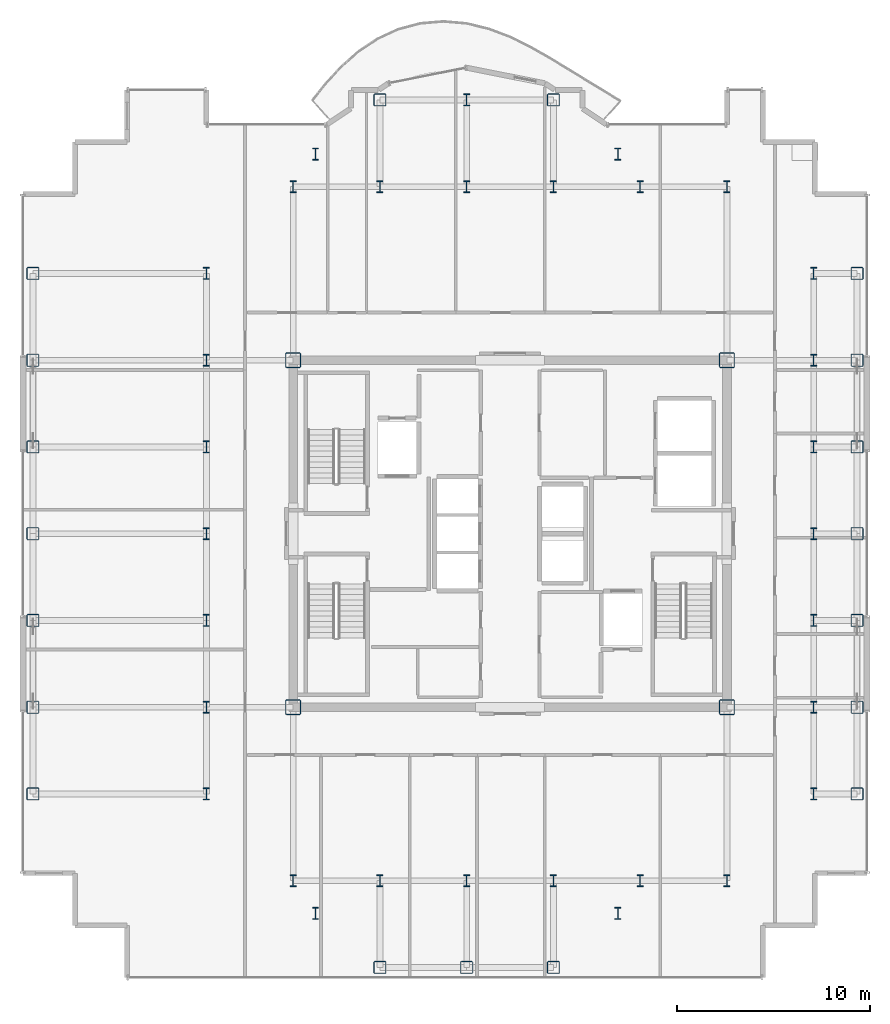
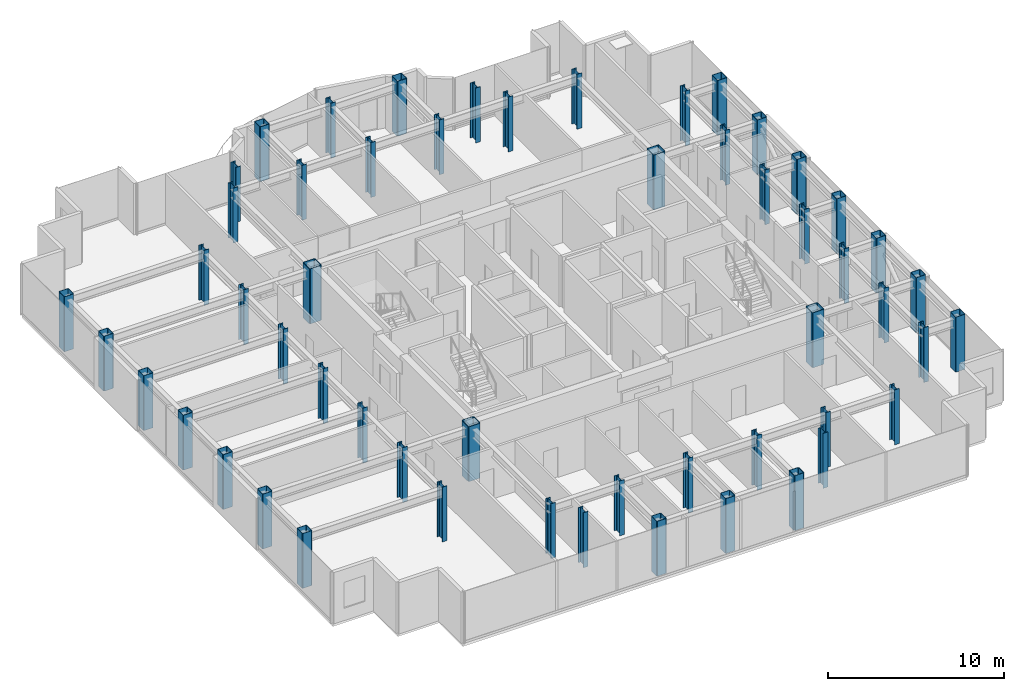
# One storey, part 1 of 16: 54 columns.
"""IFC4 building model written with IfcOpenShell, lengths in metres."""

import ifcopenshell
import ifcopenshell.guid

model = None  # the IFC model being written
_history = None  # IfcOwnerHistory: only IFC2X3 demands one
_inside = {}  # id of a spatial element -> (the spatial element, [elements in it])
_under = {}  # id of a project, library or spatial element -> (it, [spatial elements below it])
_declared = {}  # id of a project -> (the project, [libraries it declares])
_typed = {}  # id of a type object -> (the type object, [elements of that type])
_made_of = {}  # id of a material, layer set ... -> (it, [elements and type objects made of it])


def new_model(schema):
    """Start an empty IFC model of exactly this schema.

    Asked for "IFC4X3", IfcOpenShell would pick the latest addendum, in which some entities
    have other attributes; the version numbers below select the first issue.
    IFC2X3 requires an IfcOwnerHistory on every rooted entity: one is made here for all.
    """
    global model, _history
    if schema == "IFC4X3":
        model = ifcopenshell.file(schema_version=(4, 3, 0, 0))
    else:
        model = ifcopenshell.file(schema=schema)
    _inside.clear()
    _under.clear()
    _declared.clear()
    _typed.clear()
    _made_of.clear()
    _history = None
    if model.schema == "IFC2X3":
        org = make("IfcOrganization", Name="unknown")
        user = make(
            "IfcPersonAndOrganization",
            ThePerson=make("IfcPerson", FamilyName="unknown"),
            TheOrganization=org,
        )
        app = make(
            "IfcApplication",
            ApplicationDeveloper=org,
            Version="unknown",
            ApplicationFullName="unknown",
            ApplicationIdentifier="unknown",
        )
        _history = make(
            "IfcOwnerHistory",
            OwningUser=user,
            OwningApplication=app,
            ChangeAction="ADDED",
            CreationDate=0,
        )
    return model


def make(cls, **values):
    """One entity of the class cls with the attributes given. An attribute that is None is left unset."""
    return model.create_entity(
        cls, **{name: value for name, value in values.items() if value is not None}
    )


def rooted(cls, **values):
    """An entity with a GlobalId (a new one), such as an element, a storey or a relation."""
    return make(cls, GlobalId=ifcopenshell.guid.new(), OwnerHistory=_history, **values)


def si_unit(unit_type, name, prefix=None):
    """IfcSIUnit, for example si_unit("LENGTHUNIT", "METRE", prefix="MILLI")."""
    return make("IfcSIUnit", UnitType=unit_type, Prefix=prefix, Name=name)


def assignment(units):
    """IfcUnitAssignment: the units of a project."""
    return None if units is None else make("IfcUnitAssignment", Units=units)


def point(xyz):
    """IfcCartesianPoint."""
    return None if xyz is None else make("IfcCartesianPoint", Coordinates=xyz)


def direction(xyz):
    """IfcDirection."""
    return None if xyz is None else make("IfcDirection", DirectionRatios=xyz)


def frame(location, z_axis=None, x_axis=None):
    """IfcAxis2Placement3D, a coordinate frame: its origin and axes. An axis left out is left unset."""
    return make(
        "IfcAxis2Placement3D",
        Location=point(location),
        Axis=direction(z_axis),
        RefDirection=direction(x_axis),
    )


def frame_2d(location, x_axis=None):
    """IfcAxis2Placement2D, a coordinate frame in the plane: its origin and x axis."""
    return make(
        "IfcAxis2Placement2D", Location=point(location), RefDirection=direction(x_axis)
    )


def origin():
    """The frame at (0, 0, 0) with its axes left unset."""
    return frame((0.0, 0.0, 0.0))


def origin_2d():
    """The frame at (0, 0) in the plane with its x axis left unset."""
    return frame_2d((0.0, 0.0))


def place(relative_to, where):
    """IfcLocalPlacement: puts the frame where relative to a parent placement (None: the world)."""
    return make(
        "IfcLocalPlacement", PlacementRelTo=relative_to, RelativePlacement=where
    )


def context(
    kind, dimensions, precision=None, world=None, true_north=None, identifier=None
):
    """IfcGeometricRepresentationContext, for example the 3D "Model" context."""
    return make(
        "IfcGeometricRepresentationContext",
        ContextIdentifier=identifier,
        ContextType=kind,
        CoordinateSpaceDimension=dimensions,
        Precision=precision,
        WorldCoordinateSystem=world,
        TrueNorth=true_north,
    )


def subcontext(parent, identifier, kind, view, scale=None):
    """IfcGeometricRepresentationSubContext, for example "Body" below "Model"."""
    return make(
        "IfcGeometricRepresentationSubContext",
        ContextIdentifier=identifier,
        ContextType=kind,
        ParentContext=parent,
        TargetScale=scale,
        TargetView=view,
    )


def project(units=None, contexts=None):
    """IfcProject with its units and contexts."""
    return rooted(
        "IfcProject",
        Name="project",
        RepresentationContexts=contexts,
        UnitsInContext=assignment(units),
    )


def spatial(cls, under=None, at=None, **own):
    """A site, building, storey or space (cls), placed at a placement, below another one or the project."""
    s = rooted(cls, ObjectPlacement=at, **own)
    if under is not None:
        _under.setdefault(under.id(), (under, []))[1].append(s)
    return s


def profile(cls, at=None, kind="AREA", **sizes):
    """A parametric profile (cls). Its sizes go by their IFC names, for example OverallWidth=200.0."""
    return make(cls, ProfileType=kind, Position=at, **sizes)


def hollow_rectangle(**sizes):
    """IfcRectangleHollowProfileDef."""
    return profile("IfcRectangleHollowProfileDef", **sizes)


def i_section(**sizes):
    """IfcIShapeProfileDef."""
    return profile("IfcIShapeProfileDef", **sizes)


def extrude(swept, where, along, depth):
    """IfcExtrudedAreaSolid: the profile swept, set in the frame where, extruded along a direction by depth."""
    return make(
        "IfcExtrudedAreaSolid",
        SweptArea=swept,
        Position=where,
        ExtrudedDirection=direction(along),
        Depth=depth,
    )


def shape(context_of_items, identifier, shape_type, items):
    """IfcShapeRepresentation: the items that make up one representation, for example the "Body"."""
    return make(
        "IfcShapeRepresentation",
        ContextOfItems=context_of_items,
        RepresentationIdentifier=identifier,
        RepresentationType=shape_type,
        Items=items,
    )


def source(mapping_origin, context_of_items, identifier, shape_type, items):
    """IfcRepresentationMap: a shape defined once, which mapped items show again and again."""
    return make(
        "IfcRepresentationMap",
        MappingOrigin=mapping_origin,
        MappedRepresentation=shape(context_of_items, identifier, shape_type, items),
    )


def transform(
    local_origin,
    x_axis=None,
    y_axis=None,
    z_axis=None,
    scale=None,
    scale2=None,
    scale3=None,
    uniform=True,
):
    """IfcCartesianTransformationOperator3D, or its non-uniform kind. x_axis, y_axis, z_axis: its Axis1, 2, 3."""
    if uniform:
        return make(
            "IfcCartesianTransformationOperator3D",
            Axis1=direction(x_axis),
            Axis2=direction(y_axis),
            LocalOrigin=point(local_origin),
            Scale=scale,
            Axis3=direction(z_axis),
        )
    return make(
        "IfcCartesianTransformationOperator3DnonUniform",
        Axis1=direction(x_axis),
        Axis2=direction(y_axis),
        LocalOrigin=point(local_origin),
        Scale=scale,
        Axis3=direction(z_axis),
        Scale2=scale2,
        Scale3=scale3,
    )


def mapped(mapping_source, mapping_target):
    """IfcMappedItem: shows the shape of a source again, moved by a transform."""
    return make(
        "IfcMappedItem", MappingSource=mapping_source, MappingTarget=mapping_target
    )


def material(Name=None, Category=None):
    """IfcMaterial."""
    return make("IfcMaterial", Name=Name, Category=Category)


def material_profile(
    of_material, cross_section, Name=None, Category=None, Priority=None
):
    """IfcMaterialProfile: a cross section and its material."""
    return make(
        "IfcMaterialProfile",
        Name=Name,
        Material=of_material,
        Profile=cross_section,
        Priority=Priority,
        Category=Category,
    )


def profile_set(profiles, Name=None, composite=None):
    """IfcMaterialProfileSet."""
    return make(
        "IfcMaterialProfileSet",
        Name=Name,
        MaterialProfiles=profiles,
        CompositeProfile=composite,
    )


def made_of(thing, what):
    """Note that an element or type object is made of a material, layer set ...; save() writes the relation."""
    if what is not None:
        _made_of.setdefault(what.id(), (what, []))[1].append(thing)
    return thing


def type_object(cls, material=None, **own):
    """A type object (cls), such as IfcWallType, which elements share."""
    return made_of(rooted(cls, **own), material)


def element(
    cls,
    number,
    at=None,
    inside=None,
    cuts=None,
    type_object=None,
    material=None,
    context=None,
    identifier="Body",
    shape_type=None,
    held_by="IfcProductDefinitionShape",
    body=None,
    shapes=None,
    **own,
):
    """One element of the class cls, such as IfcWall. Its Tag is "e" and its number.

    at: its placement. inside: the storey or other place that contains it. cuts: it is an
    opening in that element (IfcRelVoidsElement). A single representation is given by context,
    identifier, shape_type and body (its items); several are given by shapes. held_by: the class
    of the entity that holds the representations. save() writes the other relations.
    """
    e = rooted(cls, Tag="e%d" % number, ObjectPlacement=at, **own)
    if body is not None:
        shapes = [shape(context, identifier, shape_type, body)]
    if shapes is not None:
        e.Representation = make(held_by, Representations=shapes)
    if inside is not None:
        _inside.setdefault(inside.id(), (inside, []))[1].append(e)
    if cuts is not None:
        rooted(
            "IfcRelVoidsElement", RelatingBuildingElement=cuts, RelatedOpeningElement=e
        )
    if type_object is not None:
        _typed.setdefault(type_object.id(), (type_object, []))[1].append(e)
    return made_of(e, material)


def aggregate(whole, parts):
    """IfcRelAggregates: a whole, such as a stair, and the parts it consists of."""
    return rooted("IfcRelAggregates", RelatingObject=whole, RelatedObjects=parts)


def save(model, path):
    """Write the relations noted so far, then the file.

    IfcRelAggregates (storeys below a building ...), IfcRelContainedInSpatialStructure (elements
    in a storey), IfcRelDefinesByType, IfcRelAssociatesMaterial and IfcRelDeclares: one each for
    every whole, place, type object, material and project.
    """
    for whole, parts in _under.values():
        aggregate(whole, parts)
    for where, things in _inside.values():
        rooted(
            "IfcRelContainedInSpatialStructure",
            RelatedElements=things,
            RelatingStructure=where,
        )
    for kind, things in _typed.values():
        rooted("IfcRelDefinesByType", RelatedObjects=things, RelatingType=kind)
    for what, things in _made_of.values():
        rooted("IfcRelAssociatesMaterial", RelatedObjects=things, RelatingMaterial=what)
    for by, libraries in _declared.values():
        rooted("IfcRelDeclares", RelatingContext=by, RelatedDefinitions=libraries)
    model.write(path)


model = new_model("IFC4")

# Units and contexts
model_context = context("Model", 3, precision=1e-05, world=origin(), true_north=direction((0.0, 1.0)))
body_context = subcontext(model_context, "Body", "Model", "MODEL_VIEW")
ifc_project = project(units=[si_unit("LENGTHUNIT", "METRE"), si_unit("AREAUNIT", "SQUARE_METRE"), si_unit("VOLUMEUNIT", "CUBIC_METRE"), si_unit("PLANEANGLEUNIT", "RADIAN"), si_unit("MASSUNIT", "GRAM", prefix="KILO")], contexts=[model_context])

# Site, building, storey
site_placement = place(None, origin())
site = spatial("IfcSite", under=ifc_project, at=site_placement, CompositionType="ELEMENT")
building_placement = place(site_placement, origin())
building = spatial("IfcBuilding", under=site, at=building_placement, Name="Nefas-Gora Pilgrimage Tower", CompositionType="ELEMENT")
storey_placement = place(building_placement, frame((0.0, 0.0, 287.39990234375)))
storey = spatial("IfcBuildingStorey", under=building, at=storey_placement, Name="L72", CompositionType="ELEMENT", Elevation=287.39990234375)

# Columns
ifc_material_1 = material(Name="Steel S460", Category="steel")
ifc_material_profile_1 = material_profile(ifc_material_1, hollow_rectangle(XDim=0.800048828125, YDim=0.800048828125, WallThickness=0.0400390625, InnerFilletRadius=0.0400390625, OuterFilletRadius=0.080078125, at=origin_2d()), Name="BOX 800x800x40")
ifc_profile_set_1 = profile_set([ifc_material_profile_1], Name="Steel S460")
column_type_1 = type_object("IfcColumnType", Name="COL-CORE-800", PredefinedType="COLUMN", material=ifc_profile_set_1)
shared_shape_1 = source(origin(), body_context, "Body", "SweptSolid", [
    extrude(hollow_rectangle(XDim=0.800048828125, YDim=0.800048828125, WallThickness=0.0400390625, InnerFilletRadius=0.0400390625, OuterFilletRadius=0.080078125, at=origin_2d()), origin(), (0.0, 0.0, 1.0), 3.800048828125),
])
for number, where, z_axis, x_axis, name in (
    (1, (-11.25, -9.0, 0.0), (0.0, 0.0, 1.0), (1.0, 0.0, 0.0), "L72 Tower Column CC-Z2.16"),
    (2, (-11.25, 9.0, 0.0), (0.0, 0.0, 1.0), (1.0, 0.0, 0.0), "L72 Tower Column CC-Z2.17"),
    (3, (11.25, -9.0, 0.0), (0.0, 0.0, 1.0), (1.0, 0.0, 0.0), "L72 Tower Column CC-Z2.38"),
    (4, (11.25, 9.0, 0.0), (0.0, 0.0, 1.0), (1.0, 0.0, 0.0), "L72 Tower Column CC-Z2.39"),
):
    element("IfcColumn", number, at=place(storey_placement, frame(where, z_axis=z_axis, x_axis=x_axis)), inside=storey, type_object=column_type_1, Name=name, PredefinedType="COLUMN", context=body_context, shape_type="MappedRepresentation", body=[
        mapped(shared_shape_1, transform((0.0, 0.0, 0.0), x_axis=(1.0, 0.0, 0.0), y_axis=(0.0, 1.0, 0.0), z_axis=(0.0, 0.0, 1.0), scale=1.0)),
    ])
ifc_material_profile_2 = material_profile(ifc_material_1, hollow_rectangle(XDim=0.64990234375, YDim=0.64990234375, WallThickness=0.031982421875, InnerFilletRadius=0.031982421875, OuterFilletRadius=0.06396484375, at=origin_2d()), Name="BOX 650x650x32")
ifc_profile_set_2 = profile_set([ifc_material_profile_2], Name="Steel S460")
column_type_2 = type_object("IfcColumnType", Name="COL-TUBE-650", PredefinedType="COLUMN", material=ifc_profile_set_2)
shared_shape_2 = source(origin(), body_context, "Body", "SweptSolid", [
    extrude(hollow_rectangle(XDim=0.64990234375, YDim=0.64990234375, WallThickness=0.031982421875, InnerFilletRadius=0.031982421875, OuterFilletRadius=0.06396484375, at=origin_2d()), origin(), (0.0, 0.0, 1.0), 3.800048828125),
])
for number, where, z_axis, x_axis, name in (
    (5, (-24.75, -13.5, 0.0), (0.0, 0.0, 1.0), (1.0, 0.0, 0.0), "L72 Tower Column C-Z3.1"),
    (6, (-24.75, -9.0, 0.0), (0.0, 0.0, 1.0), (1.0, 0.0, 0.0), "L72 Tower Column C-Z3.2"),
    (7, (-24.75, -4.5, 0.0), (0.0, 0.0, 1.0), (1.0, 0.0, 0.0), "L72 Tower Column C-Z3.3"),
    (8, (-24.75, 0.0, 0.0), (0.0, 0.0, 1.0), (1.0, 0.0, 0.0), "L72 Tower Column C-Z3.4"),
    (9, (-24.75, 4.5, 0.0), (0.0, 0.0, 1.0), (1.0, 0.0, 0.0), "L72 Tower Column C-Z3.5"),
    (10, (-24.75, 9.0, 0.0), (0.0, 0.0, 1.0), (1.0, 0.0, 0.0), "L72 Tower Column C-Z3.6"),
    (11, (-24.75, 13.5, 0.0), (0.0, 0.0, 1.0), (1.0, 0.0, 0.0), "L72 Tower Column C-Z3.7"),
    (12, (-6.75, -22.5, 0.0), (0.0, 0.0, 1.0), (1.0, 0.0, 0.0), "L72 Tower Column C-Z3.21"),
    (13, (-6.75, 22.5, 0.0), (0.0, 0.0, 1.0), (1.0, 0.0, 0.0), "L72 Tower Column C-Z3.24"),
    (14, (-2.25, -22.5, 0.0), (0.0, 0.0, 1.0), (1.0, 0.0, 0.0), "L72 Tower Column C-Z3.25"),
    (15, (2.25, -22.5, 0.0), (0.0, 0.0, 1.0), (1.0, 0.0, 0.0), "L72 Tower Column C-Z3.29"),
    (16, (2.25, 22.5, 0.0), (0.0, 0.0, 1.0), (1.0, 0.0, 0.0), "L72 Tower Column C-Z3.32"),
    (17, (18.0, -13.5, 0.0), (0.0, 0.0, 1.0), (1.0, 0.0, 0.0), "L72 Tower Column C-Z3.48"),
    (18, (18.0, -9.0, 0.0), (0.0, 0.0, 1.0), (1.0, 0.0, 0.0), "L72 Tower Column C-Z3.49"),
    (19, (18.0, -4.5, 0.0), (0.0, 0.0, 1.0), (1.0, 0.0, 0.0), "L72 Tower Column C-Z3.50"),
    (20, (18.0, 0.0, 0.0), (0.0, 0.0, 1.0), (1.0, 0.0, 0.0), "L72 Tower Column C-Z3.51"),
    (21, (18.0, 4.5, 0.0), (0.0, 0.0, 1.0), (1.0, 0.0, 0.0), "L72 Tower Column C-Z3.52"),
    (22, (18.0, 9.0, 0.0), (0.0, 0.0, 1.0), (1.0, 0.0, 0.0), "L72 Tower Column C-Z3.53"),
    (23, (18.0, 13.5, 0.0), (0.0, 0.0, 1.0), (1.0, 0.0, 0.0), "L72 Tower Column C-Z3.54"),
):
    element("IfcColumn", number, at=place(storey_placement, frame(where, z_axis=z_axis, x_axis=x_axis)), inside=storey, type_object=column_type_2, Name=name, PredefinedType="COLUMN", context=body_context, shape_type="MappedRepresentation", body=[
        mapped(shared_shape_2, transform((0.0, 0.0, 0.0), x_axis=(1.0, 0.0, 0.0), y_axis=(0.0, 1.0, 0.0), z_axis=(0.0, 0.0, 1.0), scale=1.0)),
    ])
ifc_material_2 = material(Name="Steel S355", Category="steel")
ifc_material_profile_3 = material_profile(ifc_material_2, i_section(OverallWidth=0.304931640625, OverallDepth=0.6201171875, WebThickness=0.02099609375, FlangeThickness=0.0400390625, FilletRadius=0.027099609375, at=origin_2d()), Name="HEM 600")
ifc_profile_set_3 = profile_set([ifc_material_profile_3], Name="Steel S355")
column_type_3 = type_object("IfcColumnType", Name="COL-WEB-HEM600", PredefinedType="COLUMN", material=ifc_profile_set_3)
shared_shape_3 = source(origin(), body_context, "Body", "SweptSolid", [
    extrude(i_section(OverallWidth=0.304931640625, OverallDepth=0.6201171875, WebThickness=0.02099609375, FlangeThickness=0.0400390625, FilletRadius=0.027099609375, at=origin_2d()), origin(), (0.0, 0.0, 1.0), 3.800048828125),
])
for number, where, z_axis, x_axis, name in (
    (24, (-15.75, -13.5, 0.0), (0.0, 0.0, 1.0), (1.0, 0.0, 0.0), "L72 Tower Column CW-03.8"),
    (25, (-15.75, -9.0, 0.0), (0.0, 0.0, 1.0), (1.0, 0.0, 0.0), "L72 Tower Column CW-03.9"),
    (26, (-15.75, -4.5, 0.0), (0.0, 0.0, 1.0), (1.0, 0.0, 0.0), "L72 Tower Column CW-03.10"),
    (27, (-15.75, 0.0, 0.0), (0.0, 0.0, 1.0), (1.0, 0.0, 0.0), "L72 Tower Column CW-03.11"),
    (28, (-15.75, 4.5, 0.0), (0.0, 0.0, 1.0), (1.0, 0.0, 0.0), "L72 Tower Column CW-03.12"),
    (29, (-15.75, 9.0, 0.0), (0.0, 0.0, 1.0), (1.0, 0.0, 0.0), "L72 Tower Column CW-03.13"),
    (30, (-15.75, 13.5, 0.0), (0.0, 0.0, 1.0), (1.0, 0.0, 0.0), "L72 Tower Column CW-03.14"),
    (31, (-11.25, -18.0, 0.0), (0.0, 0.0, 1.0), (1.0, 0.0, 0.0), "L72 Tower Column CW-03.15"),
    (32, (-11.25, 18.0, 0.0), (0.0, 0.0, 1.0), (1.0, 0.0, 0.0), "L72 Tower Column CW-03.18"),
    (33, (-10.091064453125, -19.696044921875, 0.0), (0.0, 0.0, 1.0), (1.0, 0.0, 0.0), "L72 Tower Column CW-03.19"),
    (34, (-10.091064453125, 19.696044921875, 0.0), (0.0, 0.0, 1.0), (1.0, 0.0, 0.0), "L72 Tower Column CW-03.20"),
    (35, (-6.75, -18.0, 0.0), (0.0, 0.0, 1.0), (1.0, 0.0, 0.0), "L72 Tower Column CW-03.22"),
    (36, (-6.75, 18.0, 0.0), (0.0, 0.0, 1.0), (1.0, 0.0, 0.0), "L72 Tower Column CW-03.23"),
    (37, (-2.25, -18.0, 0.0), (0.0, 0.0, 1.0), (1.0, 0.0, 0.0), "L72 Tower Column CW-03.26"),
    (38, (-2.25, 18.0, 0.0), (0.0, 0.0, 1.0), (1.0, 0.0, 0.0), "L72 Tower Column CW-03.27"),
    (39, (-2.25, 22.5, 0.0), (0.0, 0.0, 1.0), (1.0, 0.0, 0.0), "L72 Tower Column CW-03.28"),
    (40, (2.25, -18.0, 0.0), (0.0, 0.0, 1.0), (1.0, 0.0, 0.0), "L72 Tower Column CW-03.30"),
    (41, (2.25, 18.0, 0.0), (0.0, 0.0, 1.0), (1.0, 0.0, 0.0), "L72 Tower Column CW-03.31"),
    (42, (5.591064453125, -19.696044921875, 0.0), (0.0, 0.0, 1.0), (1.0, 0.0, 0.0), "L72 Tower Column CW-03.33"),
    (43, (5.591064453125, 19.696044921875, 0.0), (0.0, 0.0, 1.0), (1.0, 0.0, 0.0), "L72 Tower Column CW-03.34"),
    (44, (6.75, -18.0, 0.0), (0.0, 0.0, 1.0), (1.0, 0.0, 0.0), "L72 Tower Column CW-03.35"),
    (45, (6.75, 18.0, 0.0), (0.0, 0.0, 1.0), (1.0, 0.0, 0.0), "L72 Tower Column CW-03.36"),
    (46, (11.25, -18.0, 0.0), (0.0, 0.0, 1.0), (1.0, 0.0, 0.0), "L72 Tower Column CW-03.37"),
    (47, (11.25, 18.0, 0.0), (0.0, 0.0, 1.0), (1.0, 0.0, 0.0), "L72 Tower Column CW-03.40"),
    (48, (15.75, -13.5, 0.0), (0.0, 0.0, 1.0), (1.0, 0.0, 0.0), "L72 Tower Column CW-03.41"),
    (49, (15.75, -9.0, 0.0), (0.0, 0.0, 1.0), (1.0, 0.0, 0.0), "L72 Tower Column CW-03.42"),
    (50, (15.75, -4.5, 0.0), (0.0, 0.0, 1.0), (1.0, 0.0, 0.0), "L72 Tower Column CW-03.43"),
    (51, (15.75, 0.0, 0.0), (0.0, 0.0, 1.0), (1.0, 0.0, 0.0), "L72 Tower Column CW-03.44"),
    (52, (15.75, 4.5, 0.0), (0.0, 0.0, 1.0), (1.0, 0.0, 0.0), "L72 Tower Column CW-03.45"),
    (53, (15.75, 9.0, 0.0), (0.0, 0.0, 1.0), (1.0, 0.0, 0.0), "L72 Tower Column CW-03.46"),
    (54, (15.75, 13.5, 0.0), (0.0, 0.0, 1.0), (1.0, 0.0, 0.0), "L72 Tower Column CW-03.47"),
):
    element("IfcColumn", number, at=place(storey_placement, frame(where, z_axis=z_axis, x_axis=x_axis)), inside=storey, type_object=column_type_3, Name=name, PredefinedType="COLUMN", context=body_context, shape_type="MappedRepresentation", body=[
        mapped(shared_shape_3, transform((0.0, 0.0, 0.0), x_axis=(1.0, 0.0, 0.0), y_axis=(0.0, 1.0, 0.0), z_axis=(0.0, 0.0, 1.0), scale=1.0)),
    ])

save(model, "model.ifc")
